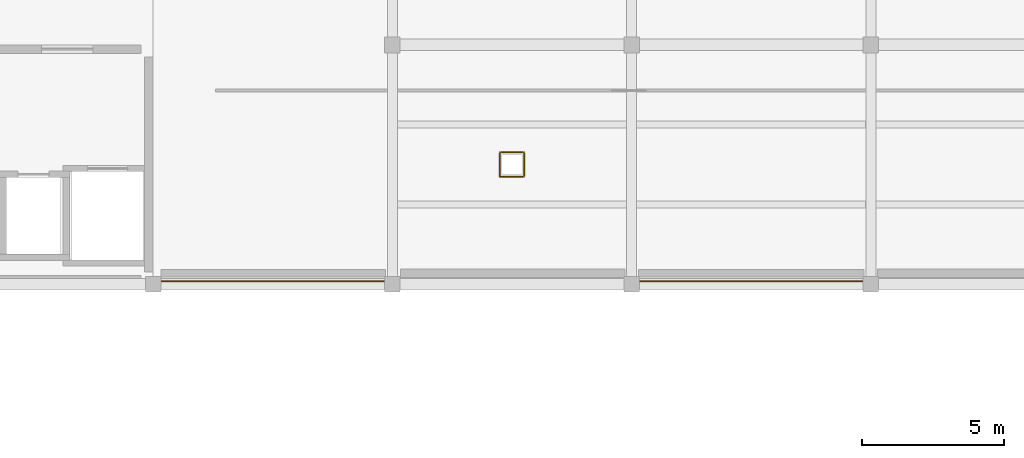
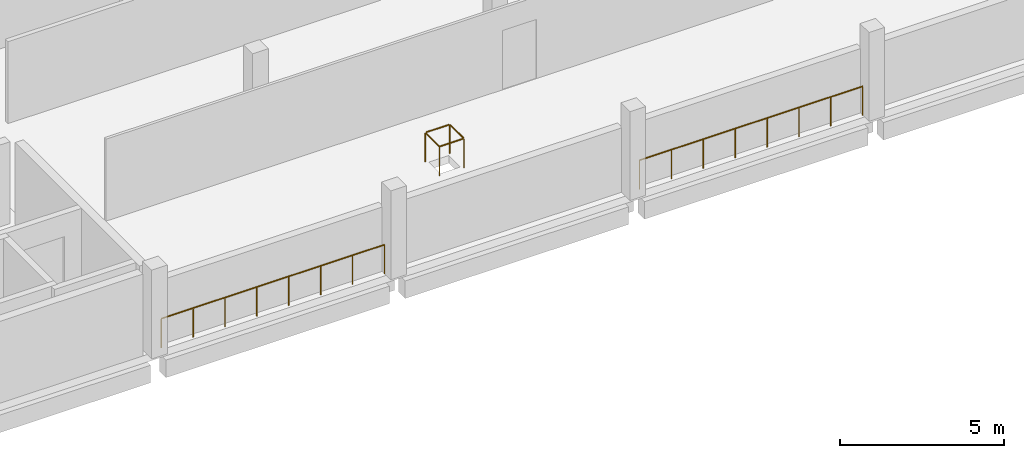
# One storey, part 40 of 43: 3 railings.
"""IFC4 building model written with IfcOpenShell, lengths in metres."""

from ifc_helpers import new_model, si_unit, derived_unit, direction, frame, origin, origin_2d, place, context, subcontext, project, spatial, circle, extrude, material, type_object, element, save


model = new_model("IFC4")

# Units and contexts
model_context = context("Model", 3, precision=1e-05, world=origin(), true_north=direction((0.0, 1.0)))
body_context = subcontext(model_context, "Body", "Model", "MODEL_VIEW")
ifc_project = project(units=[si_unit("LENGTHUNIT", "METRE"), si_unit("AREAUNIT", "SQUARE_METRE"), si_unit("VOLUMEUNIT", "CUBIC_METRE"), si_unit("PLANEANGLEUNIT", "RADIAN"), si_unit("MASSUNIT", "GRAM", prefix="KILO"), derived_unit("THERMALTRANSMITTANCEUNIT", [(si_unit("POWERUNIT", "WATT"), 1), (si_unit("LENGTHUNIT", "METRE"), -2), (si_unit("THERMODYNAMICTEMPERATUREUNIT", "KELVIN"), -1)])], contexts=[model_context])

# Site, building, storey
site_placement = place(None, origin())
site = spatial("IfcSite", under=ifc_project, at=site_placement, CompositionType="ELEMENT")
building_placement = place(site_placement, origin())
building = spatial("IfcBuilding", under=site, at=building_placement, Name="Elbkamm Science Centre", CompositionType="ELEMENT")
storey_placement = place(building_placement, frame((0.0, 0.0, 18.300048828125)))
storey = spatial("IfcBuildingStorey", under=building, at=storey_placement, Name="L04", CompositionType="ELEMENT", Elevation=18.300048828125)

# Railings
ifc_material = material(Name="Stainless steel EN 1.4401", Category="steel")
railing_type_1 = type_object("IfcRailingType", Name="RAIL-EXT-GUARD-1100", PredefinedType="GUARDRAIL", material=ifc_material)
for number, where, name in (
    (1, (117.320068359375, 42.10009765625, 0.0), "L04 Slab Edge Perimeter Guard 106"),
    (2, (100.52001953125, 42.10009765625, 0.0), "L04 Slab Edge Perimeter Guard 107"),
):
    element("IfcRailing", number, at=place(storey_placement, frame(where)), inside=storey, type_object=railing_type_1, Name=name, PredefinedType="GUARDRAIL", context=body_context, shape_type="SweptSolid", body=[
        extrude(circle(Radius=0.02392578125, at=origin_2d()), frame((0.0, 0.0, 1.078125), z_axis=(-1.0, 0.0, 0.0), x_axis=(0.0, -1.0, 0.0)), (0.0, 0.0, 1.0), 7.840087890625),
        extrude(circle(Radius=0.02001953125, at=origin_2d()), origin(), (0.0, 0.0, 1.0), 1.048095703125),
        extrude(circle(Radius=0.02001953125, at=origin_2d()), frame((-1.1201171875, 0.0, 0.0)), (0.0, 0.0, 1.0), 1.048095703125),
        extrude(circle(Radius=0.02001953125, at=origin_2d()), frame((-2.239990234375, 0.0, 0.0)), (0.0, 0.0, 1.0), 1.048095703125),
        extrude(circle(Radius=0.02001953125, at=origin_2d()), frame((-3.360107421875, 0.0, 0.0)), (0.0, 0.0, 1.0), 1.048095703125),
        extrude(circle(Radius=0.02001953125, at=origin_2d()), frame((-4.47998046875, 0.0, 0.0)), (0.0, 0.0, 1.0), 1.048095703125),
        extrude(circle(Radius=0.02001953125, at=origin_2d()), frame((-5.60009765625, 0.0, 0.0)), (0.0, 0.0, 1.0), 1.048095703125),
        extrude(circle(Radius=0.02001953125, at=origin_2d()), frame((-6.719970703125, 0.0, 0.0)), (0.0, 0.0, 1.0), 1.048095703125),
        extrude(circle(Radius=0.02001953125, at=origin_2d()), frame((-7.840087890625, 0.0, 0.0)), (0.0, 0.0, 1.0), 1.048095703125),
    ])
railing_type_2 = type_object("IfcRailingType", Name="RAIL-GUARD-1100", PredefinedType="GUARDRAIL", material=ifc_material)
railing_placement = place(storey_placement, frame((104.570068359375, 45.77001953125, 0.0)))
element("IfcRailing", 3, at=railing_placement, inside=storey, type_object=railing_type_2, Name="L04 Service Riser Opening Guardrail 025", PredefinedType="GUARDRAIL", context=body_context, shape_type="SweptSolid", body=[
    extrude(circle(Radius=0.02392578125, at=origin_2d()), frame((0.0, 0.0, 1.078125), z_axis=(1.0, 0.0, 0.0), x_axis=(0.0, 1.0, 0.0)), (0.0, 0.0, 1.0), 0.829833984375),
    extrude(circle(Radius=0.02392578125, at=origin_2d()), frame((0.85986328125, 0.030029296875, 1.078125), z_axis=(0.0, 1.0, 0.0), x_axis=(-1.0, 0.0, 0.0)), (0.0, 0.0, 1.0), 0.7998046875),
    extrude(circle(Radius=0.02392578125, at=origin_2d()), frame((0.829833984375, 0.85986328125, 1.078125), z_axis=(-1.0, 0.0, 0.0), x_axis=(0.0, -1.0, 0.0)), (0.0, 0.0, 1.0), 0.7998046875),
    extrude(circle(Radius=0.02392578125, at=origin_2d()), frame((0.0, 0.829833984375, 1.078125), z_axis=(0.0, -1.0, 0.0), x_axis=(1.0, 0.0, 0.0)), (0.0, 0.0, 1.0), 0.829833984375),
    extrude(circle(Radius=0.02001953125, at=origin_2d()), origin(), (0.0, 0.0, 1.0), 1.048095703125),
    extrude(circle(Radius=0.02001953125, at=origin_2d()), frame((0.85986328125, 0.0, 0.0)), (0.0, 0.0, 1.0), 1.048095703125),
    extrude(circle(Radius=0.02001953125, at=origin_2d()), frame((0.85986328125, 0.85986328125, 0.0)), (0.0, 0.0, 1.0), 1.048095703125),
    extrude(circle(Radius=0.02001953125, at=origin_2d()), frame((0.0, 0.85986328125, 0.0)), (0.0, 0.0, 1.0), 1.048095703125),
])

save(model, "model.ifc")
